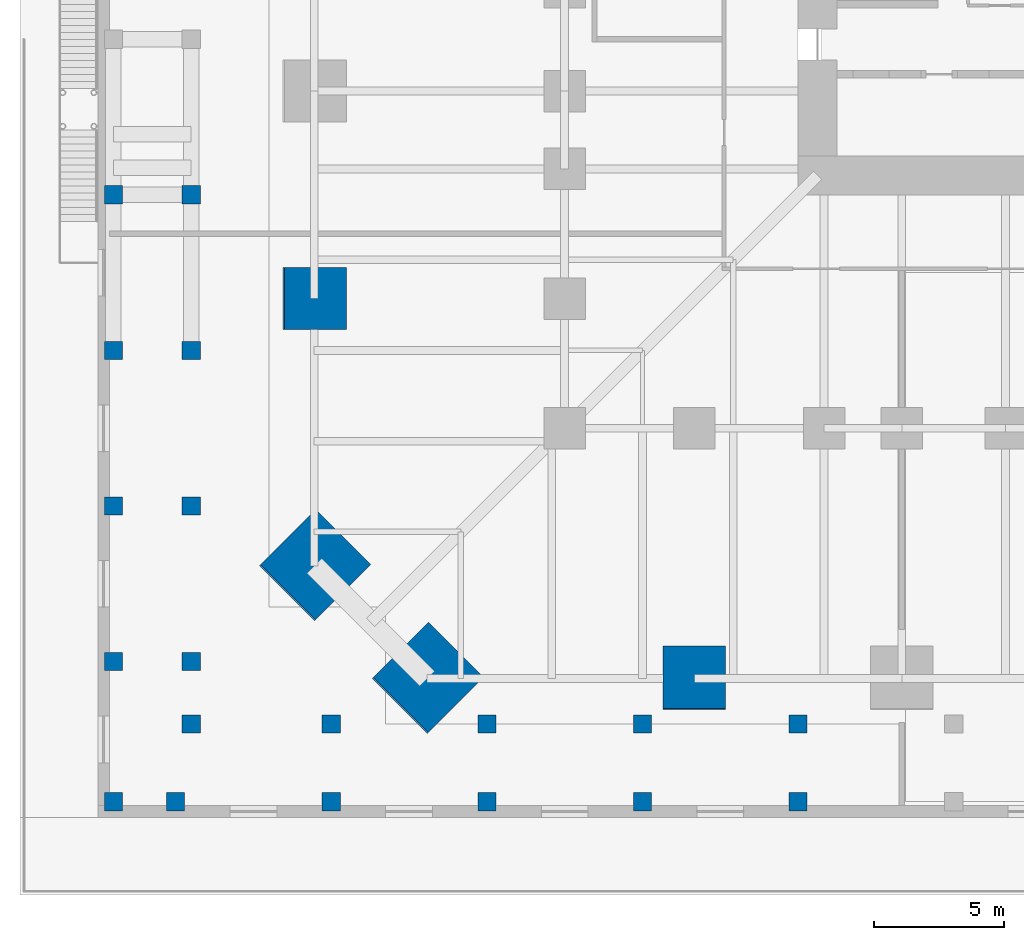
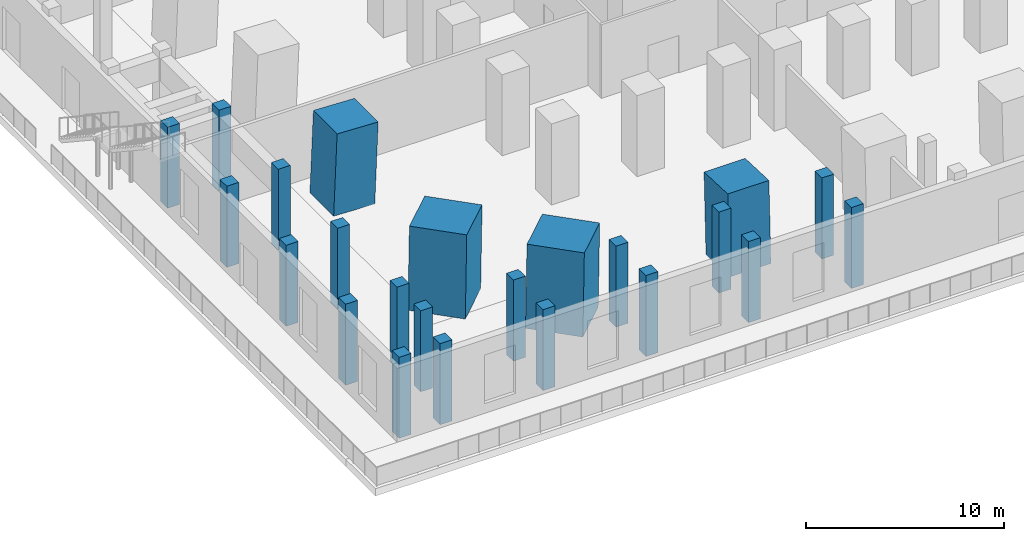
# One storey, part 1 of 22: 23 columns.
"""IFC4 building model written with IfcOpenShell, lengths in metres."""

from ifc_helpers import new_model, si_unit, direction, frame, origin, origin_2d, place, context, subcontext, project, spatial, rectangle, extrude, material, material_profile, profile_set, type_object, element, save


model = new_model("IFC4")

# Units and contexts
model_context = context("Model", 3, precision=1e-05, world=origin(), true_north=direction((0.0, 1.0)))
body_context = subcontext(model_context, "Body", "Model", "MODEL_VIEW")
ifc_project = project(units=[si_unit("LENGTHUNIT", "METRE"), si_unit("AREAUNIT", "SQUARE_METRE"), si_unit("VOLUMEUNIT", "CUBIC_METRE"), si_unit("PLANEANGLEUNIT", "RADIAN"), si_unit("MASSUNIT", "GRAM", prefix="KILO")], contexts=[model_context])

# Site, building, storey
site_placement = place(None, origin())
site = spatial("IfcSite", under=ifc_project, at=site_placement, CompositionType="ELEMENT")
building_placement = place(site_placement, origin())
building = spatial("IfcBuilding", under=site, at=building_placement, Name="Peilmerk Tower", CompositionType="ELEMENT")
storey_placement = place(building_placement, frame((0.0, 0.0, 6.0)))
storey = spatial("IfcBuildingStorey", under=building, at=storey_placement, Name="L01", CompositionType="ELEMENT", Elevation=6.0)

# Columns
ifc_material_1 = material(Name="Concrete C90/105", Category="concrete")
ifc_material_profile_1 = material_profile(ifc_material_1, rectangle(XDim=3.0, YDim=3.0, at=origin_2d()), Name="RC 3000x3000")
ifc_profile_set_1 = profile_set([ifc_material_profile_1], Name="Concrete C90/105")
column_type_1 = type_object("IfcColumnType", Name="MC1 3000x3000 encased mega column", PredefinedType="COLUMN", material=ifc_profile_set_1)
for number, where, z_axis, x_axis, name in (
    (1, (-26.304931640625, -30.65478515625, 0.0), (0.040266583883, 0.040266583883, 0.998377285621), (-0.707106781187, 0.707106781187, 0.0), "Mega column MC1 SW_S L01"),
    (2, (-30.65478515625, -26.304931640625, 0.0), (0.040266583883, 0.040266583883, 0.998377285621), (-0.707106781187, 0.707106781187, 0.0), "Mega column MC1 SW_W L01"),
):
    element("IfcColumn", number, at=place(storey_placement, frame(where, z_axis=z_axis, x_axis=x_axis)), inside=storey, type_object=column_type_1, Name=name, PredefinedType="COLUMN", context=body_context, shape_type="SweptSolid", body=[
        extrude(rectangle(XDim=3.0, YDim=3.0, at=origin_2d()), origin(), (0.0, 0.0, 1.0), 5.008056640625),
    ])
ifc_material_2 = material(Name="Concrete C55/67", Category="concrete")
ifc_material_profile_2 = material_profile(ifc_material_2, rectangle(XDim=0.699951171875, YDim=0.699951171875, at=origin_2d()), Name="RC 700x700")
ifc_profile_set_2 = profile_set([ifc_material_profile_2], Name="Concrete C55/67")
column_type_2 = type_object("IfcColumnType", Name="PC1 700x700 podium column", PredefinedType="COLUMN", material=ifc_profile_set_2)
for number, where, z_axis, x_axis, name in (
    (3, (-35.39990234375, -32.39990234375, 0.0), (0.0, 0.0, 1.0), (1.0, 0.0, 0.0), "Podium column ring A L01"),
    (4, (-35.39990234375, -30.0, 0.0), (0.0, 0.0, 1.0), (1.0, 0.0, 0.0), "Podium column ring A L01"),
    (5, (-35.39990234375, -24.0, 0.0), (0.0, 0.0, 1.0), (1.0, 0.0, 0.0), "Podium column ring A L01"),
    (6, (-35.39990234375, -18.0, 0.0), (0.0, 0.0, 1.0), (1.0, 0.0, 0.0), "Podium column ring A L01"),
    (7, (-35.39990234375, -12.0, 0.0), (0.0, 0.0, 1.0), (1.0, 0.0, 0.0), "Podium column ring A L01"),
    (8, (-30.0, -32.39990234375, 0.0), (0.0, 0.0, 1.0), (1.0, 0.0, 0.0), "Podium column ring A L01"),
    (9, (-24.0, -32.39990234375, 0.0), (0.0, 0.0, 1.0), (1.0, 0.0, 0.0), "Podium column ring A L01"),
    (10, (-18.0, -32.39990234375, 0.0), (0.0, 0.0, 1.0), (1.0, 0.0, 0.0), "Podium column ring A L01"),
    (11, (-12.0, -32.39990234375, 0.0), (0.0, 0.0, 1.0), (1.0, 0.0, 0.0), "Podium column ring A L01"),
    (12, (-38.39990234375, -35.39990234375, 0.0), (0.0, 0.0, 1.0), (1.0, 0.0, 0.0), "Podium column ring B L01"),
    (13, (-38.39990234375, -30.0, 0.0), (0.0, 0.0, 1.0), (1.0, 0.0, 0.0), "Podium column ring B L01"),
    (14, (-38.39990234375, -24.0, 0.0), (0.0, 0.0, 1.0), (1.0, 0.0, 0.0), "Podium column ring B L01"),
    (15, (-38.39990234375, -18.0, 0.0), (0.0, 0.0, 1.0), (1.0, 0.0, 0.0), "Podium column ring B L01"),
    (16, (-38.39990234375, -12.0, 0.0), (0.0, 0.0, 1.0), (1.0, 0.0, 0.0), "Podium column ring B L01"),
    (17, (-36.0, -35.39990234375, 0.0), (0.0, 0.0, 1.0), (1.0, 0.0, 0.0), "Podium column ring B L01"),
    (18, (-30.0, -35.39990234375, 0.0), (0.0, 0.0, 1.0), (1.0, 0.0, 0.0), "Podium column ring B L01"),
    (19, (-24.0, -35.39990234375, 0.0), (0.0, 0.0, 1.0), (1.0, 0.0, 0.0), "Podium column ring B L01"),
    (20, (-18.0, -35.39990234375, 0.0), (0.0, 0.0, 1.0), (1.0, 0.0, 0.0), "Podium column ring B L01"),
    (21, (-12.0, -35.39990234375, 0.0), (0.0, 0.0, 1.0), (1.0, 0.0, 0.0), "Podium column ring B L01"),
):
    element("IfcColumn", number, at=place(storey_placement, frame(where, z_axis=z_axis, x_axis=x_axis)), inside=storey, type_object=column_type_2, Name=name, PredefinedType="COLUMN", context=body_context, shape_type="SweptSolid", body=[
        extrude(rectangle(XDim=0.699951171875, YDim=0.699951171875, at=origin_2d()), origin(), (0.0, 0.0, 1.0), 5.0),
    ])
ifc_material_profile_3 = material_profile(ifc_material_1, rectangle(XDim=2.39990234375, YDim=2.39990234375, at=origin_2d()), Name="RC 2400x2400")
ifc_profile_set_3 = profile_set([ifc_material_profile_3], Name="Concrete C90/105")
column_type_3 = type_object("IfcColumnType", Name="SC1 2400x2400 encased perimeter column", PredefinedType="COLUMN", material=ifc_profile_set_3)
for number, where, z_axis, x_axis, name in (
    (22, (-16.0, -30.65478515625, 0.0), (0.0, 0.040299267708, 0.999187654559), (-1.0, 0.0, 0.0), "Perimeter column S-16 L01"),
    (23, (-30.65478515625, -16.0, 0.0), (0.040299267708, 0.0, 0.999187654559), (0.0, 1.0, 0.0), "Perimeter column W+16 L01"),
):
    element("IfcColumn", number, at=place(storey_placement, frame(where, z_axis=z_axis, x_axis=x_axis)), inside=storey, type_object=column_type_3, Name=name, PredefinedType="COLUMN", context=body_context, shape_type="SweptSolid", body=[
        extrude(rectangle(XDim=2.39990234375, YDim=2.39990234375, at=origin_2d()), origin(), (0.0, 0.0, 1.0), 5.004150390625),
    ])

save(model, "model.ifc")
